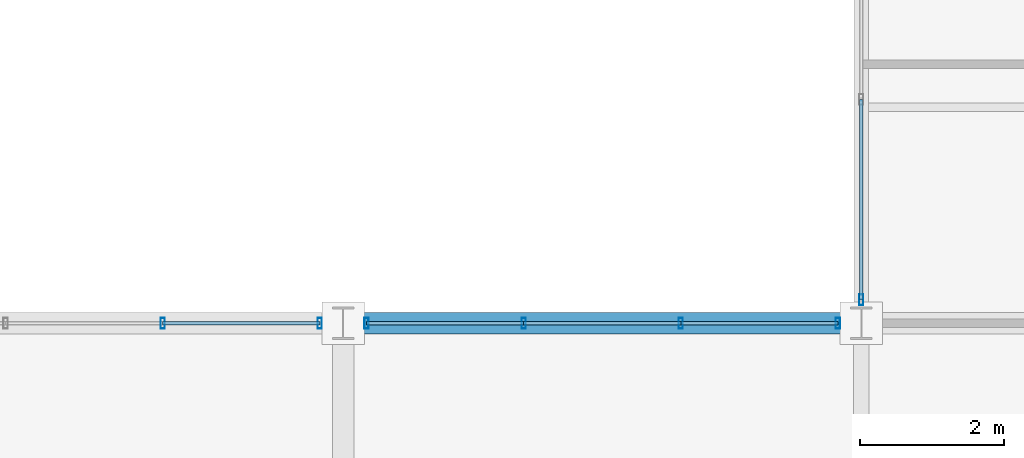
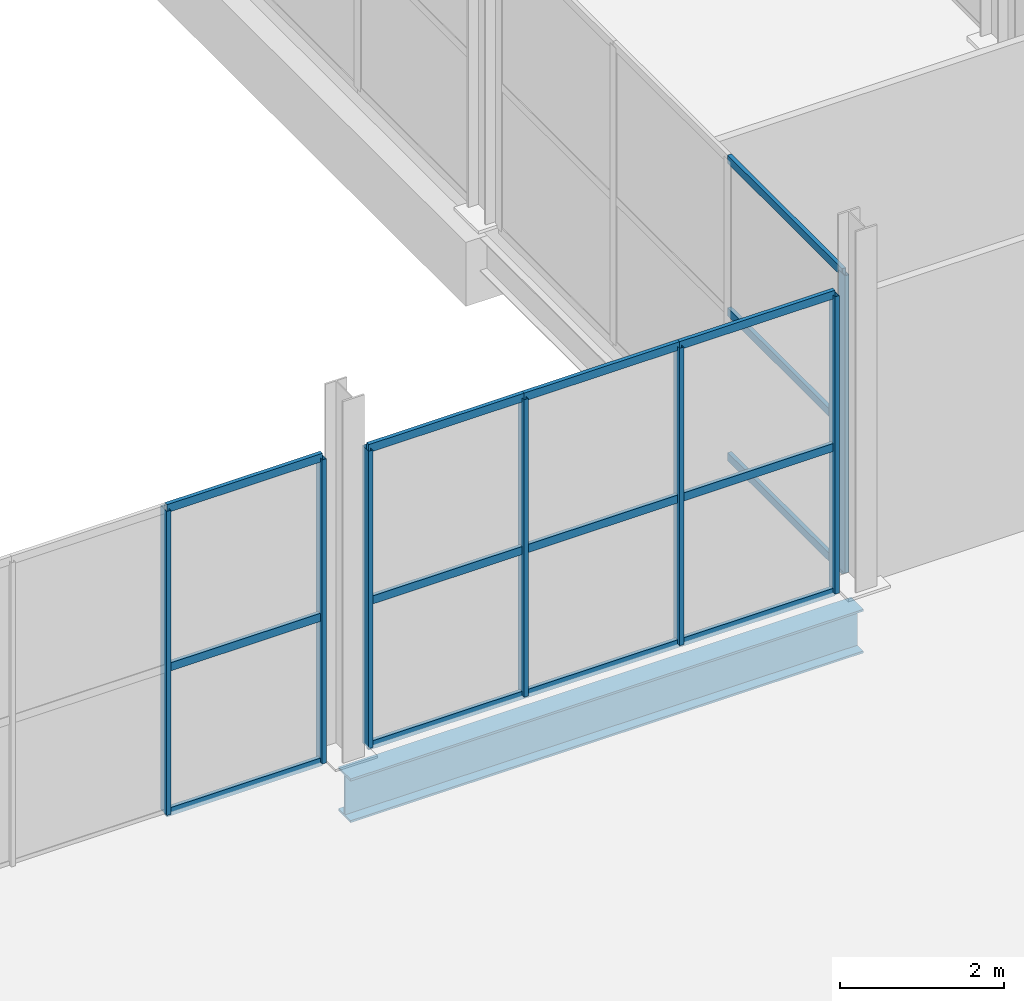
# One storey, part 87 of 147: 22 members, 1 beam, 3 elements without a shape of their own.
"""IFC4 building model written with IfcOpenShell, lengths in metres."""

from ifc_helpers import new_model, si_unit, direction, frame, origin, origin_2d, place, context, subcontext, project, spatial, hollow_rectangle, i_section, extrude, material, layer, layer_set, material_profile, profile_set, type_object, element, aggregate, save


model = new_model("IFC4")

# Units and contexts
model_context = context("Model", 3, precision=1e-05, world=origin(), true_north=direction((0.0, 1.0)))
body_context = subcontext(model_context, "Body", "Model", "MODEL_VIEW")
ifc_project = project(units=[si_unit("LENGTHUNIT", "METRE"), si_unit("AREAUNIT", "SQUARE_METRE"), si_unit("VOLUMEUNIT", "CUBIC_METRE"), si_unit("PLANEANGLEUNIT", "RADIAN"), si_unit("MASSUNIT", "GRAM", prefix="KILO")], contexts=[model_context])

# Site, building, storey
site_placement = place(None, origin())
site = spatial("IfcSite", under=ifc_project, at=site_placement, CompositionType="ELEMENT")
building_placement = place(site_placement, origin())
building = spatial("IfcBuilding", under=site, at=building_placement, Name="Sundgate Opera House", CompositionType="ELEMENT")
storey_placement = place(building_placement, frame((0.0, 0.0, 6.0)))
storey = spatial("IfcBuildingStorey", under=building, at=storey_placement, Name="L01", CompositionType="ELEMENT", Elevation=6.0)

# Beam
ifc_material_1 = material(Name="Steel S355J2", Category="steel")
ifc_material_profile_1 = material_profile(ifc_material_1, i_section(OverallWidth=0.300048828125, OverallDepth=0.64990234375, WebThickness=0.01611328125, FlangeThickness=0.031005859375, at=origin_2d()), Name="HEB 650")
ifc_profile_set_1 = profile_set([ifc_material_profile_1], Name="Steel S355J2")
beam_type = type_object("IfcBeamType", Name="BM-GR-HEB650", PredefinedType="BEAM", material=ifc_profile_set_1)
beam_placement = place(storey_placement, frame((131.39990234375, 42.0, -0.625), z_axis=(1.0, 0.0, 0.0), x_axis=(0.0, 1.0, 0.0)))
element("IfcBeam", 1, at=beam_placement, inside=storey, type_object=beam_type, Name="L01 Primary E-W Girder B1337", PredefinedType="BEAM", context=body_context, shape_type="SweptSolid", body=[
    extrude(i_section(OverallWidth=0.300048828125, OverallDepth=0.64990234375, WebThickness=0.01611328125, FlangeThickness=0.031005859375, at=origin_2d()), origin(), (0.0, 0.0, 1.0), 7.2001953125),
])

# Curtain wall, members
ifc_material_2 = material(Name="Anodized aluminium and low-iron glass", Category="aluminium")
ifc_layer = layer(ifc_material_2, 0.159912109375)
ifc_layer_set = layer_set([ifc_layer], Name="Anodized aluminium and low-iron glass")
curtain_wall_type = type_object("IfcCurtainWallType", Name="CW-STUDIO-DARK", PredefinedType="NOTDEFINED", material=ifc_layer_set)
curtain_wall_1_placement = place(storey_placement, origin())
curtain_wall_1 = element("IfcCurtainWall", 2, at=curtain_wall_1_placement, inside=storey, type_object=curtain_wall_type, Name="L01 Curtain Wall CW054", PredefinedType="NOTDEFINED")
ifc_material_3 = material(Name="Anodized aluminium EN AW-6063", Category="aluminium")
ifc_material_profile_2 = material_profile(ifc_material_3, hollow_rectangle(XDim=0.06005859375, YDim=0.14990234375, WallThickness=0.00390625, at=origin_2d()), Name="CWM 150x60x4")
ifc_profile_set_2 = profile_set([ifc_material_profile_2], Name="Anodized aluminium EN AW-6063")
member_type_1 = type_object("IfcMemberType", Name="CWM-ALU-150x60", PredefinedType="MULLION", material=ifc_profile_set_2)
member_1_placement = place(storey_placement, frame((128.8916015625, 42.0, 0.0), z_axis=(0.0, 0.0, 1.0), x_axis=(1.0, 0.0, 0.0)))
member_1 = element("IfcMember", 3, at=member_1_placement, type_object=member_type_1, Name="CW054 Mullion 3", PredefinedType="MULLION", context=body_context, shape_type="SweptSolid", body=[
    extrude(hollow_rectangle(XDim=0.06005859375, YDim=0.14990234375, WallThickness=0.00390625, at=origin_2d()), origin(), (0.0, 0.0, 1.0), 4.514892578125),
])
member_2_placement = place(storey_placement, frame((131.074951171875, 42.0, 0.0), z_axis=(0.0, 0.0, 1.0), x_axis=(1.0, 0.0, 0.0)))
member_2 = element("IfcMember", 4, at=member_2_placement, type_object=member_type_1, Name="CW054 Mullion 4", PredefinedType="MULLION", context=body_context, shape_type="SweptSolid", body=[
    extrude(hollow_rectangle(XDim=0.06005859375, YDim=0.14990234375, WallThickness=0.00390625, at=origin_2d()), origin(), (0.0, 0.0, 1.0), 4.514892578125),
])

curtain_wall_2_placement = place(storey_placement, origin())
curtain_wall_2 = element("IfcCurtainWall", 5, at=curtain_wall_2_placement, inside=storey, type_object=curtain_wall_type, Name="L01 Curtain Wall CW056", PredefinedType="NOTDEFINED")
member_3_placement = place(storey_placement, frame((131.72509765625, 42.0, 0.0), z_axis=(0.0, 0.0, 1.0), x_axis=(1.0, 0.0, 0.0)))
member_3 = element("IfcMember", 6, at=member_3_placement, type_object=member_type_1, Name="CW056 Mullion 1", PredefinedType="MULLION", context=body_context, shape_type="SweptSolid", body=[
    extrude(hollow_rectangle(XDim=0.06005859375, YDim=0.14990234375, WallThickness=0.00390625, at=origin_2d()), origin(), (0.0, 0.0, 1.0), 4.4150390625),
])
member_4_placement = place(storey_placement, frame((133.908447265625, 42.0, 0.0), z_axis=(0.0, 0.0, 1.0), x_axis=(1.0, 0.0, 0.0)))
member_4 = element("IfcMember", 7, at=member_4_placement, type_object=member_type_1, Name="CW056 Mullion 2", PredefinedType="MULLION", context=body_context, shape_type="SweptSolid", body=[
    extrude(hollow_rectangle(XDim=0.06005859375, YDim=0.14990234375, WallThickness=0.00390625, at=origin_2d()), origin(), (0.0, 0.0, 1.0), 4.4150390625),
])
member_5_placement = place(storey_placement, frame((136.091552734375, 42.0, 0.0), z_axis=(0.0, 0.0, 1.0), x_axis=(1.0, 0.0, 0.0)))
member_5 = element("IfcMember", 8, at=member_5_placement, type_object=member_type_1, Name="CW056 Mullion 3", PredefinedType="MULLION", context=body_context, shape_type="SweptSolid", body=[
    extrude(hollow_rectangle(XDim=0.06005859375, YDim=0.14990234375, WallThickness=0.00390625, at=origin_2d()), origin(), (0.0, 0.0, 1.0), 4.4150390625),
])
member_6_placement = place(storey_placement, frame((138.27490234375, 42.0, 0.0), z_axis=(0.0, 0.0, 1.0), x_axis=(1.0, 0.0, 0.0)))
member_6 = element("IfcMember", 9, at=member_6_placement, type_object=member_type_1, Name="CW056 Mullion 4", PredefinedType="MULLION", context=body_context, shape_type="SweptSolid", body=[
    extrude(hollow_rectangle(XDim=0.06005859375, YDim=0.14990234375, WallThickness=0.00390625, at=origin_2d()), origin(), (0.0, 0.0, 1.0), 4.4150390625),
])

# Curtain wall, member
curtain_wall_3_placement = place(storey_placement, origin())
curtain_wall_3 = element("IfcCurtainWall", 10, at=curtain_wall_3_placement, inside=storey, type_object=curtain_wall_type, Name="L01 Curtain Wall CW059", PredefinedType="NOTDEFINED")
member_7_placement = place(storey_placement, frame((138.60009765625, 42.324951171875, 0.0), z_axis=(0.0, 0.0, 1.0), x_axis=(1.0, 0.0, 0.0)))
member_7 = element("IfcMember", 11, at=member_7_placement, type_object=member_type_1, Name="CW059 Mullion 4", PredefinedType="MULLION", context=body_context, shape_type="SweptSolid", body=[
    extrude(hollow_rectangle(XDim=0.06005859375, YDim=0.14990234375, WallThickness=0.00390625, at=origin_2d()), origin(), (0.0, 0.0, 1.0), 4.4150390625),
])

# Member
ifc_material_4 = material(Name="Anodized aluminium EN AW-6063", Category="aluminium")
ifc_material_profile_3 = material_profile(ifc_material_4, hollow_rectangle(XDim=0.054931640625, YDim=0.1201171875, WallThickness=0.00390625, at=origin_2d()), Name="CWT 120x55x4")
ifc_profile_set_3 = profile_set([ifc_material_profile_3], Name="Anodized aluminium EN AW-6063")
member_type_2 = type_object("IfcMemberType", Name="CWT-ALU-120x55", PredefinedType="USERDEFINED", material=ifc_profile_set_3)
member_8_placement = place(storey_placement, frame((128.8916015625, 42.0, 0.0), z_axis=(1.0, 0.0, 0.0), x_axis=(0.0, 1.0, 0.0)))
member_8 = element("IfcMember", 12, at=member_8_placement, type_object=member_type_2, Name="CW054 Transom 7", ObjectType="TRANSOM", PredefinedType="USERDEFINED", context=body_context, shape_type="SweptSolid", body=[
    extrude(hollow_rectangle(XDim=0.054931640625, YDim=0.1201171875, WallThickness=0.00390625, at=origin_2d()), origin(), (0.0, 0.0, 1.0), 2.183349609375),
])

member_9_placement = place(storey_placement, frame((128.8916015625, 42.0, 2.14990234375), z_axis=(1.0, 0.0, 0.0), x_axis=(0.0, 1.0, 0.0)))
member_9 = element("IfcMember", 13, at=member_9_placement, type_object=member_type_2, Name="CW054 Transom 8", ObjectType="TRANSOM", PredefinedType="USERDEFINED", context=body_context, shape_type="SweptSolid", body=[
    extrude(hollow_rectangle(XDim=0.054931640625, YDim=0.1201171875, WallThickness=0.00390625, at=origin_2d()), origin(), (0.0, 0.0, 1.0), 2.183349609375),
])

member_10_placement = place(storey_placement, frame((128.8916015625, 42.0, 4.514892578125), z_axis=(1.0, 0.0, 0.0), x_axis=(0.0, 1.0, 0.0)))
member_10 = element("IfcMember", 14, at=member_10_placement, type_object=member_type_2, Name="CW054 Transom 9", ObjectType="TRANSOM", PredefinedType="USERDEFINED", context=body_context, shape_type="SweptSolid", body=[
    extrude(hollow_rectangle(XDim=0.054931640625, YDim=0.1201171875, WallThickness=0.00390625, at=origin_2d()), origin(), (0.0, 0.0, 1.0), 2.183349609375),
])

aggregate(curtain_wall_1, [member_1, member_2, member_8, member_9, member_10])

member_11_placement = place(storey_placement, frame((131.72509765625, 42.0, 0.0), z_axis=(1.0, 0.0, 0.0), x_axis=(0.0, 1.0, 0.0)))
member_11 = element("IfcMember", 15, at=member_11_placement, type_object=member_type_2, Name="CW056 Transom 1", ObjectType="TRANSOM", PredefinedType="USERDEFINED", context=body_context, shape_type="SweptSolid", body=[
    extrude(hollow_rectangle(XDim=0.054931640625, YDim=0.1201171875, WallThickness=0.00390625, at=origin_2d()), origin(), (0.0, 0.0, 1.0), 2.183349609375),
])

member_12_placement = place(storey_placement, frame((131.72509765625, 42.0, 2.14990234375), z_axis=(1.0, 0.0, 0.0), x_axis=(0.0, 1.0, 0.0)))
member_12 = element("IfcMember", 16, at=member_12_placement, type_object=member_type_2, Name="CW056 Transom 2", ObjectType="TRANSOM", PredefinedType="USERDEFINED", context=body_context, shape_type="SweptSolid", body=[
    extrude(hollow_rectangle(XDim=0.054931640625, YDim=0.1201171875, WallThickness=0.00390625, at=origin_2d()), origin(), (0.0, 0.0, 1.0), 2.183349609375),
])

member_13_placement = place(storey_placement, frame((131.72509765625, 42.0, 4.4150390625), z_axis=(1.0, 0.0, 0.0), x_axis=(0.0, 1.0, 0.0)))
member_13 = element("IfcMember", 17, at=member_13_placement, type_object=member_type_2, Name="CW056 Transom 3", ObjectType="TRANSOM", PredefinedType="USERDEFINED", context=body_context, shape_type="SweptSolid", body=[
    extrude(hollow_rectangle(XDim=0.054931640625, YDim=0.1201171875, WallThickness=0.00390625, at=origin_2d()), origin(), (0.0, 0.0, 1.0), 2.183349609375),
])

member_14_placement = place(storey_placement, frame((133.908447265625, 42.0, 0.0), z_axis=(1.0, 0.0, 0.0), x_axis=(0.0, 1.0, 0.0)))
member_14 = element("IfcMember", 18, at=member_14_placement, type_object=member_type_2, Name="CW056 Transom 4", ObjectType="TRANSOM", PredefinedType="USERDEFINED", context=body_context, shape_type="SweptSolid", body=[
    extrude(hollow_rectangle(XDim=0.054931640625, YDim=0.1201171875, WallThickness=0.00390625, at=origin_2d()), origin(), (0.0, 0.0, 1.0), 2.18310546875),
])

member_15_placement = place(storey_placement, frame((133.908447265625, 42.0, 2.14990234375), z_axis=(1.0, 0.0, 0.0), x_axis=(0.0, 1.0, 0.0)))
member_15 = element("IfcMember", 19, at=member_15_placement, type_object=member_type_2, Name="CW056 Transom 5", ObjectType="TRANSOM", PredefinedType="USERDEFINED", context=body_context, shape_type="SweptSolid", body=[
    extrude(hollow_rectangle(XDim=0.054931640625, YDim=0.1201171875, WallThickness=0.00390625, at=origin_2d()), origin(), (0.0, 0.0, 1.0), 2.18310546875),
])

member_16_placement = place(storey_placement, frame((133.908447265625, 42.0, 4.4150390625), z_axis=(1.0, 0.0, 0.0), x_axis=(0.0, 1.0, 0.0)))
member_16 = element("IfcMember", 20, at=member_16_placement, type_object=member_type_2, Name="CW056 Transom 6", ObjectType="TRANSOM", PredefinedType="USERDEFINED", context=body_context, shape_type="SweptSolid", body=[
    extrude(hollow_rectangle(XDim=0.054931640625, YDim=0.1201171875, WallThickness=0.00390625, at=origin_2d()), origin(), (0.0, 0.0, 1.0), 2.18310546875),
])

member_17_placement = place(storey_placement, frame((136.091552734375, 42.0, 0.0), z_axis=(1.0, 0.0, 0.0), x_axis=(0.0, 1.0, 0.0)))
member_17 = element("IfcMember", 21, at=member_17_placement, type_object=member_type_2, Name="CW056 Transom 7", ObjectType="TRANSOM", PredefinedType="USERDEFINED", context=body_context, shape_type="SweptSolid", body=[
    extrude(hollow_rectangle(XDim=0.054931640625, YDim=0.1201171875, WallThickness=0.00390625, at=origin_2d()), origin(), (0.0, 0.0, 1.0), 2.183349609375),
])

member_18_placement = place(storey_placement, frame((136.091552734375, 42.0, 2.14990234375), z_axis=(1.0, 0.0, 0.0), x_axis=(0.0, 1.0, 0.0)))
member_18 = element("IfcMember", 22, at=member_18_placement, type_object=member_type_2, Name="CW056 Transom 8", ObjectType="TRANSOM", PredefinedType="USERDEFINED", context=body_context, shape_type="SweptSolid", body=[
    extrude(hollow_rectangle(XDim=0.054931640625, YDim=0.1201171875, WallThickness=0.00390625, at=origin_2d()), origin(), (0.0, 0.0, 1.0), 2.183349609375),
])

member_19_placement = place(storey_placement, frame((136.091552734375, 42.0, 4.4150390625), z_axis=(1.0, 0.0, 0.0), x_axis=(0.0, 1.0, 0.0)))
member_19 = element("IfcMember", 23, at=member_19_placement, type_object=member_type_2, Name="CW056 Transom 9", ObjectType="TRANSOM", PredefinedType="USERDEFINED", context=body_context, shape_type="SweptSolid", body=[
    extrude(hollow_rectangle(XDim=0.054931640625, YDim=0.1201171875, WallThickness=0.00390625, at=origin_2d()), origin(), (0.0, 0.0, 1.0), 2.183349609375),
])

aggregate(curtain_wall_2, [member_3, member_4, member_5, member_6, member_11, member_12, member_13, member_14, member_15, member_16, member_17, member_18, member_19])

member_20_placement = place(storey_placement, frame((138.60009765625, 45.1083984375, 0.0), z_axis=(0.0, -1.0, 0.0), x_axis=(1.0, 0.0, 0.0)))
member_20 = element("IfcMember", 24, at=member_20_placement, type_object=member_type_2, Name="CW059 Transom 7", ObjectType="TRANSOM", PredefinedType="USERDEFINED", context=body_context, shape_type="SweptSolid", body=[
    extrude(hollow_rectangle(XDim=0.054931640625, YDim=0.1201171875, WallThickness=0.00390625, at=origin_2d()), origin(), (0.0, 0.0, 1.0), 2.783447265625),
])

member_21_placement = place(storey_placement, frame((138.60009765625, 45.1083984375, 2.14990234375), z_axis=(0.0, -1.0, 0.0), x_axis=(1.0, 0.0, 0.0)))
member_21 = element("IfcMember", 25, at=member_21_placement, type_object=member_type_2, Name="CW059 Transom 8", ObjectType="TRANSOM", PredefinedType="USERDEFINED", context=body_context, shape_type="SweptSolid", body=[
    extrude(hollow_rectangle(XDim=0.054931640625, YDim=0.1201171875, WallThickness=0.00390625, at=origin_2d()), origin(), (0.0, 0.0, 1.0), 2.783447265625),
])

member_22_placement = place(storey_placement, frame((138.60009765625, 45.1083984375, 4.4150390625), z_axis=(0.0, -1.0, 0.0), x_axis=(1.0, 0.0, 0.0)))
member_22 = element("IfcMember", 26, at=member_22_placement, type_object=member_type_2, Name="CW059 Transom 9", ObjectType="TRANSOM", PredefinedType="USERDEFINED", context=body_context, shape_type="SweptSolid", body=[
    extrude(hollow_rectangle(XDim=0.054931640625, YDim=0.1201171875, WallThickness=0.00390625, at=origin_2d()), origin(), (0.0, 0.0, 1.0), 2.783447265625),
])

aggregate(curtain_wall_3, [member_7, member_20, member_21, member_22])

save(model, "model.ifc")
